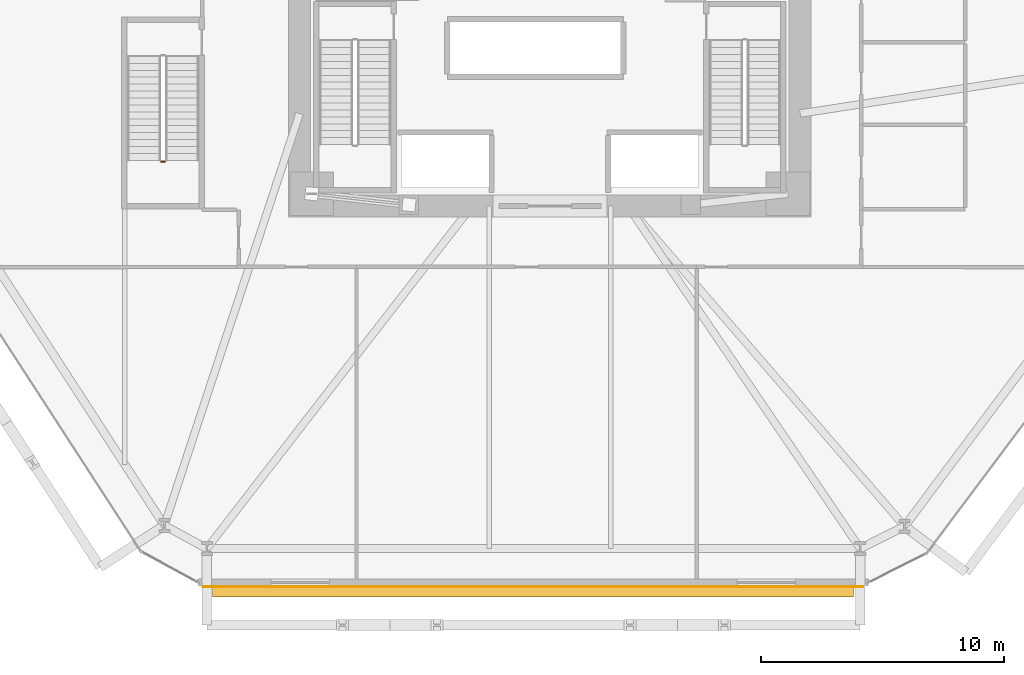
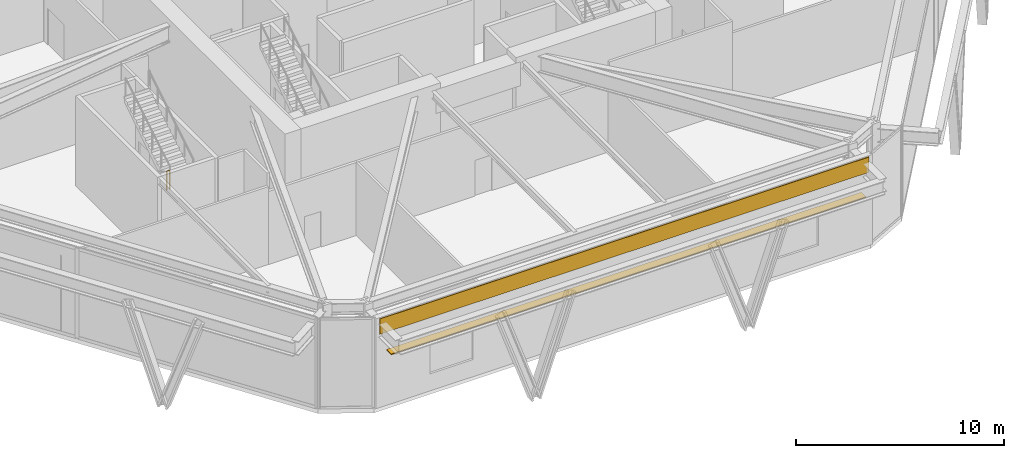
# One storey, part 17 of 19: 1 covering, 1 railing, 1 shading device.
"""IFC4 building model written with IfcOpenShell, lengths in metres."""

from ifc_helpers import new_model, si_unit, direction, frame, origin, origin_2d, place, context, subcontext, project, spatial, rectangle, circle, extrude, source, transform, mapped, material, layer, layer_set, type_object, type_shapes, element, save


model = new_model("IFC4")

# Units and contexts
model_context = context("Model", 3, precision=1e-05, world=origin(), true_north=direction((0.0, 1.0)))
body_context = subcontext(model_context, "Body", "Model", "MODEL_VIEW")
ifc_project = project(units=[si_unit("LENGTHUNIT", "METRE"), si_unit("AREAUNIT", "SQUARE_METRE"), si_unit("VOLUMEUNIT", "CUBIC_METRE"), si_unit("PLANEANGLEUNIT", "RADIAN"), si_unit("MASSUNIT", "GRAM", prefix="KILO")], contexts=[model_context])

# Site, building, storey
site_placement = place(None, origin())
site = spatial("IfcSite", under=ifc_project, at=site_placement, CompositionType="ELEMENT")
building_placement = place(site_placement, origin())
building = spatial("IfcBuilding", under=site, at=building_placement, Name="Durnholm Broadcast Tower", CompositionType="ELEMENT")
storey_placement = place(building_placement, frame((0.0, 0.0, 15.60009765625)))
storey = spatial("IfcBuildingStorey", under=building, at=storey_placement, Name="L03", CompositionType="ELEMENT", Elevation=15.60009765625)

# Railing
ifc_material_1 = material(Name="Painted Tubular Steel Stair Guardrail", Category="steel")
railing_type = type_object("IfcRailingType", Name="RAIL-ST-GRD", PredefinedType="GUARDRAIL", material=ifc_material_1)
railing_placement = place(storey_placement, frame((-16.0, -6.47509765625, 2.7998046875)))
element("IfcRailing", 1, at=railing_placement, inside=storey, type_object=railing_type, Name="L03 ST-4 stair guard 2", PredefinedType="GUARDRAIL", context=body_context, shape_type="SweptSolid", body=[
    extrude(circle(Radius=0.02392578125, at=origin_2d()), frame((0.0, 0.0, 1.076171875), z_axis=(1.0, 0.0, 0.0), x_axis=(0.0, 1.0, 0.0)), (0.0, 0.0, 1.0), 0.159912109375),
    extrude(circle(Radius=0.02099609375, at=origin_2d()), origin(), (0.0, 0.0, 1.0), 1.052001953125),
    extrude(circle(Radius=0.02099609375, at=origin_2d()), frame((0.159912109375, 0.0, 0.0)), (0.0, 0.0, 1.0), 1.052001953125),
])

# Covering
ifc_material_2 = material(Name="Anodised Aluminium Spandrel Cladding", Category="aluminium")
ifc_layer_1 = layer(ifc_material_2, 0.0400390625)
ifc_layer_set_1 = layer_set([ifc_layer_1], Name="Anodised Aluminium Spandrel Cladding")
covering_type = type_object("IfcCoveringType", Name="COV-EXT-CLAD", PredefinedType="CLADDING", material=ifc_layer_set_1)
shared_shape_1 = source(origin(), body_context, "Body", "SweptSolid", [
    extrude(rectangle(XDim=27.177978515625, YDim=0.0400390625, at=origin_2d()), origin(), (0.0, 0.0, 1.0), 0.89990234375),
])
type_shapes(covering_type, [shared_shape_1])
covering_placement = place(storey_placement, frame((-0.68603515625, -23.969970703125, 4.329833984375), z_axis=(0.0, 0.0, 1.0), x_axis=(-1.0, 0.0, 0.0)))
element("IfcCovering", 2, at=covering_placement, inside=storey, type_object=covering_type, Name="L03 podium spandrel metal cladding 10", PredefinedType="CLADDING", context=body_context, shape_type="MappedRepresentation", body=[
    mapped(shared_shape_1, transform((0.0, 0.0, 0.0), x_axis=(1.0, 0.0, 0.0), y_axis=(0.0, 1.0, 0.0), z_axis=(0.0, 0.0, 1.0), scale=1.0)),
])

# Shading device
ifc_material_3 = material(Name="Extruded Aluminium Sunshade Fin", Category="aluminium")
ifc_layer_2 = layer(ifc_material_3, 0.06005859375)
ifc_layer_set_2 = layer_set([ifc_layer_2], Name="Extruded Aluminium Sunshade Fin")
shading_device_type = type_object("IfcShadingDeviceType", Name="SHD-SUN-BLADE", PredefinedType="JALOUSIE", material=ifc_layer_set_2)
shared_shape_2 = source(origin(), body_context, "Body", "SweptSolid", [
    extrude(rectangle(XDim=26.3779296875, YDim=0.449951171875, at=origin_2d()), origin(), (0.0, 0.0, 1.0), 0.06005859375),
])
type_shapes(shading_device_type, [shared_shape_2])
shading_device_placement = place(storey_placement, frame((-0.68603515625, -24.169921875, 3.219970703125), z_axis=(0.0, 0.0, 1.0), x_axis=(-1.0, 0.0, 0.0)))
element("IfcShadingDevice", 3, at=shading_device_placement, inside=storey, type_object=shading_device_type, Name="L03 studio horizontal solar sunshade 10", PredefinedType="JALOUSIE", context=body_context, shape_type="MappedRepresentation", body=[
    mapped(shared_shape_2, transform((0.0, 0.0, 0.0), x_axis=(1.0, 0.0, 0.0), y_axis=(0.0, 1.0, 0.0), z_axis=(0.0, 0.0, 1.0), scale=1.0)),
])

save(model, "model.ifc")
